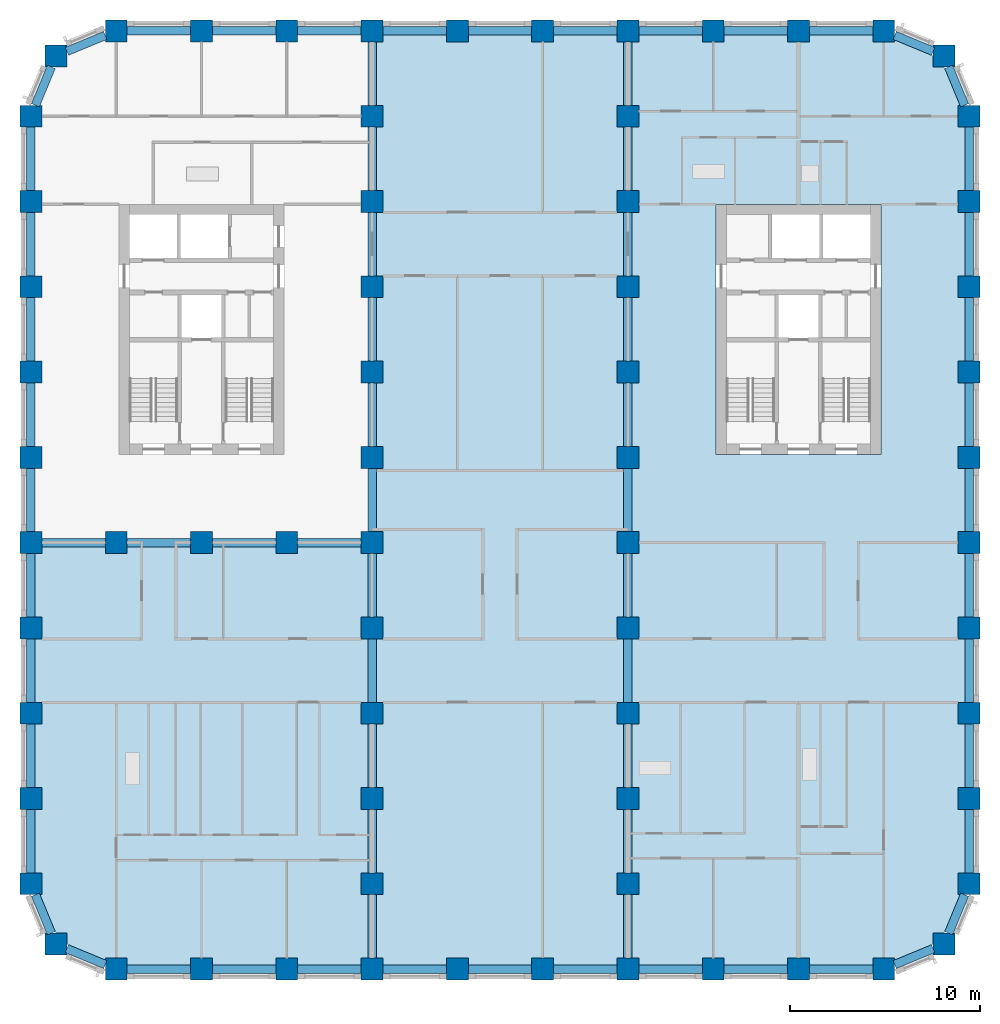
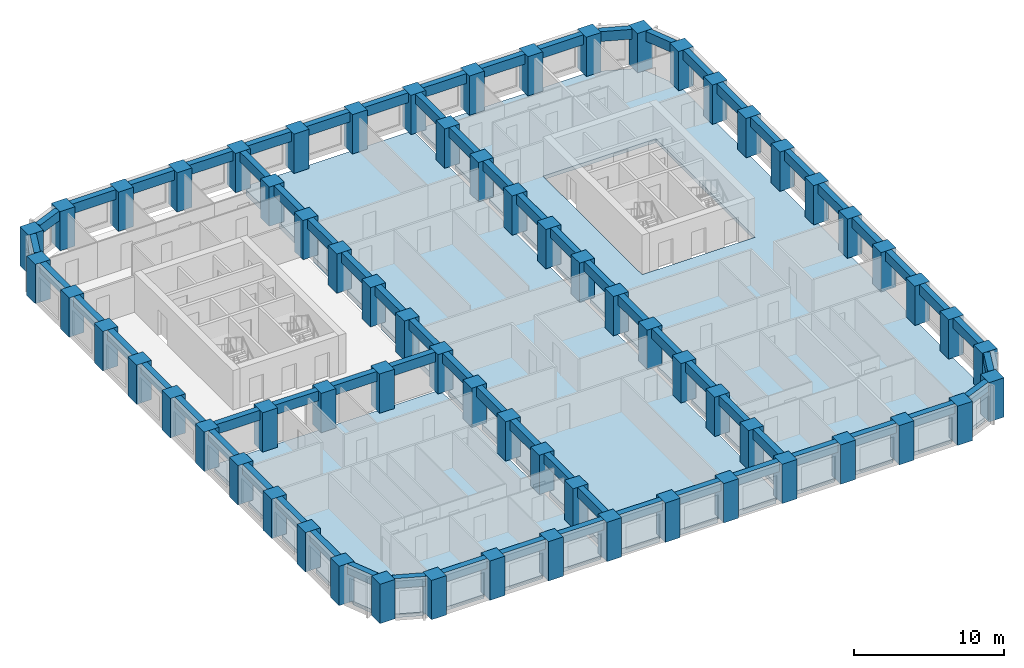
# One storey, part 1 of 13: 70 beams, 67 columns, 3 slabs.
"""IFC4 building model written with IfcOpenShell, lengths in metres."""

import ifcopenshell
import ifcopenshell.guid

model = None  # the IFC model being written
_history = None  # IfcOwnerHistory: only IFC2X3 demands one
_inside = {}  # id of a spatial element -> (the spatial element, [elements in it])
_under = {}  # id of a project, library or spatial element -> (it, [spatial elements below it])
_declared = {}  # id of a project -> (the project, [libraries it declares])
_typed = {}  # id of a type object -> (the type object, [elements of that type])
_made_of = {}  # id of a material, layer set ... -> (it, [elements and type objects made of it])


def new_model(schema):
    """Start an empty IFC model of exactly this schema.

    Asked for "IFC4X3", IfcOpenShell would pick the latest addendum, in which some entities
    have other attributes; the version numbers below select the first issue.
    IFC2X3 requires an IfcOwnerHistory on every rooted entity: one is made here for all.
    """
    global model, _history
    if schema == "IFC4X3":
        model = ifcopenshell.file(schema_version=(4, 3, 0, 0))
    else:
        model = ifcopenshell.file(schema=schema)
    _inside.clear()
    _under.clear()
    _declared.clear()
    _typed.clear()
    _made_of.clear()
    _history = None
    if model.schema == "IFC2X3":
        org = make("IfcOrganization", Name="unknown")
        user = make(
            "IfcPersonAndOrganization",
            ThePerson=make("IfcPerson", FamilyName="unknown"),
            TheOrganization=org,
        )
        app = make(
            "IfcApplication",
            ApplicationDeveloper=org,
            Version="unknown",
            ApplicationFullName="unknown",
            ApplicationIdentifier="unknown",
        )
        _history = make(
            "IfcOwnerHistory",
            OwningUser=user,
            OwningApplication=app,
            ChangeAction="ADDED",
            CreationDate=0,
        )
    return model


def make(cls, **values):
    """One entity of the class cls with the attributes given. An attribute that is None is left unset."""
    return model.create_entity(
        cls, **{name: value for name, value in values.items() if value is not None}
    )


def rooted(cls, **values):
    """An entity with a GlobalId (a new one), such as an element, a storey or a relation."""
    return make(cls, GlobalId=ifcopenshell.guid.new(), OwnerHistory=_history, **values)


def si_unit(unit_type, name, prefix=None):
    """IfcSIUnit, for example si_unit("LENGTHUNIT", "METRE", prefix="MILLI")."""
    return make("IfcSIUnit", UnitType=unit_type, Prefix=prefix, Name=name)


def assignment(units):
    """IfcUnitAssignment: the units of a project."""
    return None if units is None else make("IfcUnitAssignment", Units=units)


def point(xyz):
    """IfcCartesianPoint."""
    return None if xyz is None else make("IfcCartesianPoint", Coordinates=xyz)


def direction(xyz):
    """IfcDirection."""
    return None if xyz is None else make("IfcDirection", DirectionRatios=xyz)


def frame(location, z_axis=None, x_axis=None):
    """IfcAxis2Placement3D, a coordinate frame: its origin and axes. An axis left out is left unset."""
    return make(
        "IfcAxis2Placement3D",
        Location=point(location),
        Axis=direction(z_axis),
        RefDirection=direction(x_axis),
    )


def frame_2d(location, x_axis=None):
    """IfcAxis2Placement2D, a coordinate frame in the plane: its origin and x axis."""
    return make(
        "IfcAxis2Placement2D", Location=point(location), RefDirection=direction(x_axis)
    )


def origin():
    """The frame at (0, 0, 0) with its axes left unset."""
    return frame((0.0, 0.0, 0.0))


def origin_2d():
    """The frame at (0, 0) in the plane with its x axis left unset."""
    return frame_2d((0.0, 0.0))


def place(relative_to, where):
    """IfcLocalPlacement: puts the frame where relative to a parent placement (None: the world)."""
    return make(
        "IfcLocalPlacement", PlacementRelTo=relative_to, RelativePlacement=where
    )


def context(
    kind, dimensions, precision=None, world=None, true_north=None, identifier=None
):
    """IfcGeometricRepresentationContext, for example the 3D "Model" context."""
    return make(
        "IfcGeometricRepresentationContext",
        ContextIdentifier=identifier,
        ContextType=kind,
        CoordinateSpaceDimension=dimensions,
        Precision=precision,
        WorldCoordinateSystem=world,
        TrueNorth=true_north,
    )


def subcontext(parent, identifier, kind, view, scale=None):
    """IfcGeometricRepresentationSubContext, for example "Body" below "Model"."""
    return make(
        "IfcGeometricRepresentationSubContext",
        ContextIdentifier=identifier,
        ContextType=kind,
        ParentContext=parent,
        TargetScale=scale,
        TargetView=view,
    )


def project(units=None, contexts=None):
    """IfcProject with its units and contexts."""
    return rooted(
        "IfcProject",
        Name="project",
        RepresentationContexts=contexts,
        UnitsInContext=assignment(units),
    )


def spatial(cls, under=None, at=None, **own):
    """A site, building, storey or space (cls), placed at a placement, below another one or the project."""
    s = rooted(cls, ObjectPlacement=at, **own)
    if under is not None:
        _under.setdefault(under.id(), (under, []))[1].append(s)
    return s


def polyline(points):
    """IfcPolyline through the points."""
    return make("IfcPolyline", Points=[point(p) for p in points])


def profile(cls, at=None, kind="AREA", **sizes):
    """A parametric profile (cls). Its sizes go by their IFC names, for example OverallWidth=200.0."""
    return make(cls, ProfileType=kind, Position=at, **sizes)


def rectangle(**sizes):
    """IfcRectangleProfileDef."""
    return profile("IfcRectangleProfileDef", **sizes)


def outline(outer, holes=None, kind="AREA"):
    """IfcArbitraryClosedProfileDef: a profile drawn as a closed curve; with holes, ...WithVoids."""
    if holes is None:
        return make("IfcArbitraryClosedProfileDef", ProfileType=kind, OuterCurve=outer)
    return make(
        "IfcArbitraryProfileDefWithVoids",
        ProfileType=kind,
        OuterCurve=outer,
        InnerCurves=holes,
    )


def extrude(swept, where, along, depth):
    """IfcExtrudedAreaSolid: the profile swept, set in the frame where, extruded along a direction by depth."""
    return make(
        "IfcExtrudedAreaSolid",
        SweptArea=swept,
        Position=where,
        ExtrudedDirection=direction(along),
        Depth=depth,
    )


def shape(context_of_items, identifier, shape_type, items):
    """IfcShapeRepresentation: the items that make up one representation, for example the "Body"."""
    return make(
        "IfcShapeRepresentation",
        ContextOfItems=context_of_items,
        RepresentationIdentifier=identifier,
        RepresentationType=shape_type,
        Items=items,
    )


def material(Name=None, Category=None):
    """IfcMaterial."""
    return make("IfcMaterial", Name=Name, Category=Category)


def layer(
    of_material, thickness, ventilated=None, Name=None, Category=None, Priority=None
):
    """IfcMaterialLayer: one layer of a wall or slab, of a material (None: an air gap)."""
    return make(
        "IfcMaterialLayer",
        Material=of_material,
        LayerThickness=thickness,
        IsVentilated=ventilated,
        Name=Name,
        Category=Category,
        Priority=Priority,
    )


def layer_set(layers, Name=None):
    """IfcMaterialLayerSet."""
    return make("IfcMaterialLayerSet", MaterialLayers=layers, LayerSetName=Name)


def material_profile(
    of_material, cross_section, Name=None, Category=None, Priority=None
):
    """IfcMaterialProfile: a cross section and its material."""
    return make(
        "IfcMaterialProfile",
        Name=Name,
        Material=of_material,
        Profile=cross_section,
        Priority=Priority,
        Category=Category,
    )


def profile_set(profiles, Name=None, composite=None):
    """IfcMaterialProfileSet."""
    return make(
        "IfcMaterialProfileSet",
        Name=Name,
        MaterialProfiles=profiles,
        CompositeProfile=composite,
    )


def made_of(thing, what):
    """Note that an element or type object is made of a material, layer set ...; save() writes the relation."""
    if what is not None:
        _made_of.setdefault(what.id(), (what, []))[1].append(thing)
    return thing


def type_object(cls, material=None, **own):
    """A type object (cls), such as IfcWallType, which elements share."""
    return made_of(rooted(cls, **own), material)


def element(
    cls,
    number,
    at=None,
    inside=None,
    cuts=None,
    type_object=None,
    material=None,
    context=None,
    identifier="Body",
    shape_type=None,
    held_by="IfcProductDefinitionShape",
    body=None,
    shapes=None,
    **own,
):
    """One element of the class cls, such as IfcWall. Its Tag is "e" and its number.

    at: its placement. inside: the storey or other place that contains it. cuts: it is an
    opening in that element (IfcRelVoidsElement). A single representation is given by context,
    identifier, shape_type and body (its items); several are given by shapes. held_by: the class
    of the entity that holds the representations. save() writes the other relations.
    """
    e = rooted(cls, Tag="e%d" % number, ObjectPlacement=at, **own)
    if body is not None:
        shapes = [shape(context, identifier, shape_type, body)]
    if shapes is not None:
        e.Representation = make(held_by, Representations=shapes)
    if inside is not None:
        _inside.setdefault(inside.id(), (inside, []))[1].append(e)
    if cuts is not None:
        rooted(
            "IfcRelVoidsElement", RelatingBuildingElement=cuts, RelatedOpeningElement=e
        )
    if type_object is not None:
        _typed.setdefault(type_object.id(), (type_object, []))[1].append(e)
    return made_of(e, material)


def aggregate(whole, parts):
    """IfcRelAggregates: a whole, such as a stair, and the parts it consists of."""
    return rooted("IfcRelAggregates", RelatingObject=whole, RelatedObjects=parts)


def save(model, path):
    """Write the relations noted so far, then the file.

    IfcRelAggregates (storeys below a building ...), IfcRelContainedInSpatialStructure (elements
    in a storey), IfcRelDefinesByType, IfcRelAssociatesMaterial and IfcRelDeclares: one each for
    every whole, place, type object, material and project.
    """
    for whole, parts in _under.values():
        aggregate(whole, parts)
    for where, things in _inside.values():
        rooted(
            "IfcRelContainedInSpatialStructure",
            RelatedElements=things,
            RelatingStructure=where,
        )
    for kind, things in _typed.values():
        rooted("IfcRelDefinesByType", RelatedObjects=things, RelatingType=kind)
    for what, things in _made_of.values():
        rooted("IfcRelAssociatesMaterial", RelatedObjects=things, RelatingMaterial=what)
    for by, libraries in _declared.values():
        rooted("IfcRelDeclares", RelatingContext=by, RelatedDefinitions=libraries)
    model.write(path)


model = new_model("IFC4")

# Units and contexts
model_context = context("Model", 3, precision=1e-05, world=origin(), true_north=direction((0.0, 1.0)))
body_context = subcontext(model_context, "Body", "Model", "MODEL_VIEW")
ifc_project = project(units=[si_unit("LENGTHUNIT", "METRE"), si_unit("AREAUNIT", "SQUARE_METRE"), si_unit("VOLUMEUNIT", "CUBIC_METRE"), si_unit("PLANEANGLEUNIT", "RADIAN"), si_unit("MASSUNIT", "GRAM", prefix="KILO")], contexts=[model_context])

# Site, building, storey
site_placement = place(None, origin())
site = spatial("IfcSite", under=ifc_project, at=site_placement, CompositionType="ELEMENT")
building_placement = place(site_placement, origin())
building = spatial("IfcBuilding", under=site, at=building_placement, Name="Girih Gate Residences", CompositionType="ELEMENT")
storey_placement = place(building_placement, frame((0.0, 0.0, 105.60009765625)))
storey = spatial("IfcBuildingStorey", under=building, at=storey_placement, Name="L29", CompositionType="ELEMENT", Elevation=105.60009765625)

# Columns
ifc_material_1 = material(Name="Concrete C80/95", Category="concrete")
ifc_material_profile_1 = material_profile(ifc_material_1, rectangle(XDim=1.14990234375, YDim=1.14990234375, at=origin_2d()))
ifc_profile_set_1 = profile_set([ifc_material_profile_1], Name="Concrete C80/95")
column_type = type_object("IfcColumnType", Name="Pier RC 1150x1150 Concrete C80/95", PredefinedType="COLUMN", material=ifc_profile_set_1)
for number, where, z_axis, x_axis, name in (
    (1, (4.5, 0.0, 0.0), (0.0, 0.0, 1.0), (1.0, 0.0, 0.0), "Pier P2A L29"),
    (2, (9.0, 0.0, 0.0), (0.0, 0.0, 1.0), (1.0, 0.0, 0.0), "Pier P3A L29"),
    (3, (13.5, 0.0, 0.0), (0.0, 0.0, 1.0), (1.0, 0.0, 0.0), "Pier P4A L29"),
    (4, (18.0, 0.0, 0.0), (0.0, 0.0, 1.0), (1.0, 0.0, 0.0), "Pier P5A L29"),
    (5, (22.5, 0.0, 0.0), (0.0, 0.0, 1.0), (1.0, 0.0, 0.0), "Pier P6A L29"),
    (6, (27.0, 0.0, 0.0), (0.0, 0.0, 1.0), (1.0, 0.0, 0.0), "Pier P7A L29"),
    (7, (31.5, 0.0, 0.0), (0.0, 0.0, 1.0), (1.0, 0.0, 0.0), "Pier P8A L29"),
    (8, (36.0, 0.0, 0.0), (0.0, 0.0, 1.0), (1.0, 0.0, 0.0), "Pier P9A L29"),
    (9, (40.5, 0.0, 0.0), (0.0, 0.0, 1.0), (1.0, 0.0, 0.0), "Pier P10A L29"),
    (10, (45.0, 0.0, 0.0), (0.0, 0.0, 1.0), (1.0, 0.0, 0.0), "Pier P11A L29"),
    (11, (1.318115234375, 1.318115234375, 0.0), (0.0, 0.0, 1.0), (1.0, 0.0, 0.0), "Pier P1ANE L29"),
    (12, (48.181884765625, 1.318115234375, 0.0), (0.0, 0.0, 1.0), (1.0, 0.0, 0.0), "Pier P12ANW L29"),
    (13, (0.0, 4.5, 0.0), (0.0, 0.0, 1.0), (1.0, 0.0, 0.0), "Pier P1B L29"),
    (14, (18.0, 4.5, 0.0), (0.0, 0.0, 1.0), (1.0, 0.0, 0.0), "Pier P5B L29"),
    (15, (31.5, 4.5, 0.0), (0.0, 0.0, 1.0), (1.0, 0.0, 0.0), "Pier P8B L29"),
    (16, (49.5, 4.5, 0.0), (0.0, 0.0, 1.0), (1.0, 0.0, 0.0), "Pier P12B L29"),
    (17, (0.0, 9.0, 0.0), (0.0, 0.0, 1.0), (1.0, 0.0, 0.0), "Pier P1C L29"),
    (18, (18.0, 9.0, 0.0), (0.0, 0.0, 1.0), (1.0, 0.0, 0.0), "Pier P5C L29"),
    (19, (31.5, 9.0, 0.0), (0.0, 0.0, 1.0), (1.0, 0.0, 0.0), "Pier P8C L29"),
    (20, (49.5, 9.0, 0.0), (0.0, 0.0, 1.0), (1.0, 0.0, 0.0), "Pier P12C L29"),
    (21, (0.0, 13.5, 0.0), (0.0, 0.0, 1.0), (1.0, 0.0, 0.0), "Pier P1D L29"),
    (22, (18.0, 13.5, 0.0), (0.0, 0.0, 1.0), (1.0, 0.0, 0.0), "Pier P5D L29"),
    (23, (31.5, 13.5, 0.0), (0.0, 0.0, 1.0), (1.0, 0.0, 0.0), "Pier P8D L29"),
    (24, (49.5, 13.5, 0.0), (0.0, 0.0, 1.0), (1.0, 0.0, 0.0), "Pier P12D L29"),
    (25, (0.0, 18.0, 0.0), (0.0, 0.0, 1.0), (1.0, 0.0, 0.0), "Pier P1E L29"),
    (26, (18.0, 18.0, 0.0), (0.0, 0.0, 1.0), (1.0, 0.0, 0.0), "Pier P5E L29"),
    (27, (31.5, 18.0, 0.0), (0.0, 0.0, 1.0), (1.0, 0.0, 0.0), "Pier P8E L29"),
    (28, (49.5, 18.0, 0.0), (0.0, 0.0, 1.0), (1.0, 0.0, 0.0), "Pier P12E L29"),
    (29, (0.0, 22.5, 0.0), (0.0, 0.0, 1.0), (1.0, 0.0, 0.0), "Pier P1F L29"),
    (30, (4.5, 22.5, 0.0), (0.0, 0.0, 1.0), (1.0, 0.0, 0.0), "Pier P2F L29"),
    (31, (9.0, 22.5, 0.0), (0.0, 0.0, 1.0), (1.0, 0.0, 0.0), "Pier P3F L29"),
    (32, (13.5, 22.5, 0.0), (0.0, 0.0, 1.0), (1.0, 0.0, 0.0), "Pier P4F L29"),
    (33, (18.0, 22.5, 0.0), (0.0, 0.0, 1.0), (1.0, 0.0, 0.0), "Pier P5F L29"),
    (34, (31.5, 22.5, 0.0), (0.0, 0.0, 1.0), (1.0, 0.0, 0.0), "Pier P8F L29"),
    (35, (49.5, 22.5, 0.0), (0.0, 0.0, 1.0), (1.0, 0.0, 0.0), "Pier P12F L29"),
    (36, (0.0, 27.0, 0.0), (0.0, 0.0, 1.0), (1.0, 0.0, 0.0), "Pier P1G L29"),
    (37, (18.0, 27.0, 0.0), (0.0, 0.0, 1.0), (1.0, 0.0, 0.0), "Pier P5G L29"),
    (38, (31.5, 27.0, 0.0), (0.0, 0.0, 1.0), (1.0, 0.0, 0.0), "Pier P8G L29"),
    (39, (49.5, 27.0, 0.0), (0.0, 0.0, 1.0), (1.0, 0.0, 0.0), "Pier P12G L29"),
    (40, (0.0, 31.5, 0.0), (0.0, 0.0, 1.0), (1.0, 0.0, 0.0), "Pier P1H L29"),
    (41, (18.0, 31.5, 0.0), (0.0, 0.0, 1.0), (1.0, 0.0, 0.0), "Pier P5H L29"),
    (42, (31.5, 31.5, 0.0), (0.0, 0.0, 1.0), (1.0, 0.0, 0.0), "Pier P8H L29"),
    (43, (49.5, 31.5, 0.0), (0.0, 0.0, 1.0), (1.0, 0.0, 0.0), "Pier P12H L29"),
    (44, (0.0, 36.0, 0.0), (0.0, 0.0, 1.0), (1.0, 0.0, 0.0), "Pier P1I L29"),
    (45, (18.0, 36.0, 0.0), (0.0, 0.0, 1.0), (1.0, 0.0, 0.0), "Pier P5I L29"),
    (46, (31.5, 36.0, 0.0), (0.0, 0.0, 1.0), (1.0, 0.0, 0.0), "Pier P8I L29"),
    (47, (49.5, 36.0, 0.0), (0.0, 0.0, 1.0), (1.0, 0.0, 0.0), "Pier P12I L29"),
    (48, (0.0, 40.5, 0.0), (0.0, 0.0, 1.0), (1.0, 0.0, 0.0), "Pier P1J L29"),
    (49, (18.0, 40.5, 0.0), (0.0, 0.0, 1.0), (1.0, 0.0, 0.0), "Pier P5J L29"),
    (50, (31.5, 40.5, 0.0), (0.0, 0.0, 1.0), (1.0, 0.0, 0.0), "Pier P8J L29"),
    (51, (49.5, 40.5, 0.0), (0.0, 0.0, 1.0), (1.0, 0.0, 0.0), "Pier P12J L29"),
    (52, (0.0, 45.0, 0.0), (0.0, 0.0, 1.0), (1.0, 0.0, 0.0), "Pier P1K L29"),
    (53, (18.0, 45.0, 0.0), (0.0, 0.0, 1.0), (1.0, 0.0, 0.0), "Pier P5K L29"),
    (54, (31.5, 45.0, 0.0), (0.0, 0.0, 1.0), (1.0, 0.0, 0.0), "Pier P8K L29"),
    (55, (49.5, 45.0, 0.0), (0.0, 0.0, 1.0), (1.0, 0.0, 0.0), "Pier P12K L29"),
    (56, (1.318115234375, 48.181884765625, 0.0), (0.0, 0.0, 1.0), (1.0, 0.0, 0.0), "Pier P1LSE L29"),
    (57, (48.181884765625, 48.181884765625, 0.0), (0.0, 0.0, 1.0), (1.0, 0.0, 0.0), "Pier P12LSW L29"),
    (58, (4.5, 49.5, 0.0), (0.0, 0.0, 1.0), (1.0, 0.0, 0.0), "Pier P2L L29"),
    (59, (9.0, 49.5, 0.0), (0.0, 0.0, 1.0), (1.0, 0.0, 0.0), "Pier P3L L29"),
    (60, (13.5, 49.5, 0.0), (0.0, 0.0, 1.0), (1.0, 0.0, 0.0), "Pier P4L L29"),
    (61, (18.0, 49.5, 0.0), (0.0, 0.0, 1.0), (1.0, 0.0, 0.0), "Pier P5L L29"),
    (62, (22.5, 49.5, 0.0), (0.0, 0.0, 1.0), (1.0, 0.0, 0.0), "Pier P6L L29"),
    (63, (27.0, 49.5, 0.0), (0.0, 0.0, 1.0), (1.0, 0.0, 0.0), "Pier P7L L29"),
    (64, (31.5, 49.5, 0.0), (0.0, 0.0, 1.0), (1.0, 0.0, 0.0), "Pier P8L L29"),
    (65, (36.0, 49.5, 0.0), (0.0, 0.0, 1.0), (1.0, 0.0, 0.0), "Pier P9L L29"),
    (66, (40.5, 49.5, 0.0), (0.0, 0.0, 1.0), (1.0, 0.0, 0.0), "Pier P10L L29"),
    (67, (45.0, 49.5, 0.0), (0.0, 0.0, 1.0), (1.0, 0.0, 0.0), "Pier P11L L29"),
):
    element("IfcColumn", number, at=place(storey_placement, frame(where, z_axis=z_axis, x_axis=x_axis)), inside=storey, type_object=column_type, Name=name, PredefinedType="COLUMN", context=body_context, shape_type="SweptSolid", body=[
        extrude(rectangle(XDim=1.14990234375, YDim=1.14990234375, at=origin_2d()), origin(), (0.0, 0.0, 1.0), 3.199951171875),
    ])

# Beams
ifc_material_2 = material(Name="Concrete C60/75", Category="concrete")
ifc_material_profile_2 = material_profile(ifc_material_2, rectangle(XDim=0.449951171875, YDim=0.800048828125, at=origin_2d()))
ifc_profile_set_2 = profile_set([ifc_material_profile_2], Name="Concrete C60/75")
beam_type = type_object("IfcBeamType", Name="Spandrel girder RC 450x800 Concrete C60/75", PredefinedType="BEAM", material=ifc_profile_set_2)
for number, where, z_axis, x_axis, name in (
    (68, (0.23828125, 3.925048828125, 2.7998046875), (0.382636106589, -0.92389913407, 0.0), (0.92389913407, 0.382636106589, 0.0), "Spandrel girder SP-P1B-P1ANE L29"),
    (69, (1.89306640625, 1.079833984375, 2.7998046875), (0.92389913407, -0.382636106589, 0.0), (0.382636106589, 0.92389913407, 0.0), "Spandrel girder SP-P1ANE-P2A L29"),
):
    element("IfcBeam", number, at=place(storey_placement, frame(where, z_axis=z_axis, x_axis=x_axis)), inside=storey, type_object=beam_type, Name=name, PredefinedType="BEAM", context=body_context, shape_type="SweptSolid", body=[
        extrude(rectangle(XDim=0.449951171875, YDim=0.800048828125, at=origin_2d()), origin(), (0.0, 0.0, 1.0), 2.199462890625),
    ])
for number, where, z_axis, x_axis, name in (
    (70, (5.074951171875, 0.0, 2.7998046875), (1.0, 0.0, 0.0), (0.0, 1.0, 0.0), "Spandrel girder SP-P2A-P3A L29"),
    (71, (9.574951171875, 0.0, 2.7998046875), (1.0, 0.0, 0.0), (0.0, 1.0, 0.0), "Spandrel girder SP-P3A-P4A L29"),
    (72, (14.074951171875, 0.0, 2.7998046875), (1.0, 0.0, 0.0), (0.0, 1.0, 0.0), "Spandrel girder SP-P4A-P5A L29"),
    (73, (18.574951171875, 0.0, 2.7998046875), (1.0, 0.0, 0.0), (0.0, 1.0, 0.0), "Spandrel girder SP-P5A-P6A L29"),
    (74, (23.074951171875, 0.0, 2.7998046875), (1.0, 0.0, 0.0), (0.0, 1.0, 0.0), "Spandrel girder SP-P6A-P7A L29"),
    (75, (27.574951171875, 0.0, 2.7998046875), (1.0, 0.0, 0.0), (0.0, 1.0, 0.0), "Spandrel girder SP-P7A-P8A L29"),
    (76, (32.074951171875, 0.0, 2.7998046875), (1.0, 0.0, 0.0), (0.0, 1.0, 0.0), "Spandrel girder SP-P8A-P9A L29"),
    (77, (36.574951171875, 0.0, 2.7998046875), (1.0, 0.0, 0.0), (0.0, 1.0, 0.0), "Spandrel girder SP-P9A-P10A L29"),
    (78, (41.074951171875, 0.0, 2.7998046875), (1.0, 0.0, 0.0), (0.0, 1.0, 0.0), "Spandrel girder SP-P10A-P11A L29"),
):
    element("IfcBeam", number, at=place(storey_placement, frame(where, z_axis=z_axis, x_axis=x_axis)), inside=storey, type_object=beam_type, Name=name, PredefinedType="BEAM", context=body_context, shape_type="SweptSolid", body=[
        extrude(rectangle(XDim=0.449951171875, YDim=0.800048828125, at=origin_2d()), origin(), (0.0, 0.0, 1.0), 3.35009765625),
    ])
for number, where, z_axis, x_axis, name in (
    (79, (45.574951171875, 0.23828125, 2.7998046875), (0.92389913407, 0.382636106589, 0.0), (-0.382636106589, 0.92389913407, 0.0), "Spandrel girder SP-P11A-P12ANW L29"),
    (80, (48.420166015625, 1.89306640625, 2.7998046875), (0.382636106589, 0.92389913407, 0.0), (-0.92389913407, 0.382636106589, 0.0), "Spandrel girder SP-P12ANW-P12B L29"),
):
    element("IfcBeam", number, at=place(storey_placement, frame(where, z_axis=z_axis, x_axis=x_axis)), inside=storey, type_object=beam_type, Name=name, PredefinedType="BEAM", context=body_context, shape_type="SweptSolid", body=[
        extrude(rectangle(XDim=0.449951171875, YDim=0.800048828125, at=origin_2d()), origin(), (0.0, 0.0, 1.0), 2.199462890625),
    ])
for number, where, z_axis, x_axis, name in (
    (81, (49.5, 5.074951171875, 2.7998046875), (0.0, 1.0, 0.0), (-1.0, 0.0, 0.0), "Spandrel girder SP-P12B-P12C L29"),
    (82, (49.5, 9.574951171875, 2.7998046875), (0.0, 1.0, 0.0), (-1.0, 0.0, 0.0), "Spandrel girder SP-P12C-P12D L29"),
    (83, (49.5, 14.074951171875, 2.7998046875), (0.0, 1.0, 0.0), (-1.0, 0.0, 0.0), "Spandrel girder SP-P12D-P12E L29"),
    (84, (49.5, 18.574951171875, 2.7998046875), (0.0, 1.0, 0.0), (-1.0, 0.0, 0.0), "Spandrel girder SP-P12E-P12F L29"),
    (85, (49.5, 23.074951171875, 2.7998046875), (0.0, 1.0, 0.0), (-1.0, 0.0, 0.0), "Spandrel girder SP-P12F-P12G L29"),
    (86, (49.5, 27.574951171875, 2.7998046875), (0.0, 1.0, 0.0), (-1.0, 0.0, 0.0), "Spandrel girder SP-P12G-P12H L29"),
    (87, (49.5, 32.074951171875, 2.7998046875), (0.0, 1.0, 0.0), (-1.0, 0.0, 0.0), "Spandrel girder SP-P12H-P12I L29"),
    (88, (49.5, 36.574951171875, 2.7998046875), (0.0, 1.0, 0.0), (-1.0, 0.0, 0.0), "Spandrel girder SP-P12I-P12J L29"),
    (89, (49.5, 41.074951171875, 2.7998046875), (0.0, 1.0, 0.0), (-1.0, 0.0, 0.0), "Spandrel girder SP-P12J-P12K L29"),
):
    element("IfcBeam", number, at=place(storey_placement, frame(where, z_axis=z_axis, x_axis=x_axis)), inside=storey, type_object=beam_type, Name=name, PredefinedType="BEAM", context=body_context, shape_type="SweptSolid", body=[
        extrude(rectangle(XDim=0.449951171875, YDim=0.800048828125, at=origin_2d()), origin(), (0.0, 0.0, 1.0), 3.35009765625),
    ])
for number, where, z_axis, x_axis, name in (
    (90, (49.26171875, 45.574951171875, 2.7998046875), (-0.382636106589, 0.92389913407, 0.0), (-0.92389913407, -0.382636106589, 0.0), "Spandrel girder SP-P12K-P12LSW L29"),
    (91, (47.60693359375, 48.420166015625, 2.7998046875), (-0.92389913407, 0.382636106589, 0.0), (-0.382636106589, -0.92389913407, 0.0), "Spandrel girder SP-P12LSW-P11L L29"),
):
    element("IfcBeam", number, at=place(storey_placement, frame(where, z_axis=z_axis, x_axis=x_axis)), inside=storey, type_object=beam_type, Name=name, PredefinedType="BEAM", context=body_context, shape_type="SweptSolid", body=[
        extrude(rectangle(XDim=0.449951171875, YDim=0.800048828125, at=origin_2d()), origin(), (0.0, 0.0, 1.0), 2.199462890625),
    ])
for number, where, z_axis, x_axis, name in (
    (92, (44.425048828125, 49.5, 2.7998046875), (-1.0, 0.0, 0.0), (0.0, -1.0, 0.0), "Spandrel girder SP-P11L-P10L L29"),
    (93, (39.925048828125, 49.5, 2.7998046875), (-1.0, 0.0, 0.0), (0.0, -1.0, 0.0), "Spandrel girder SP-P10L-P9L L29"),
    (94, (35.425048828125, 49.5, 2.7998046875), (-1.0, 0.0, 0.0), (0.0, -1.0, 0.0), "Spandrel girder SP-P9L-P8L L29"),
    (95, (30.925048828125, 49.5, 2.7998046875), (-1.0, 0.0, 0.0), (0.0, -1.0, 0.0), "Spandrel girder SP-P8L-P7L L29"),
    (96, (26.425048828125, 49.5, 2.7998046875), (-1.0, 0.0, 0.0), (0.0, -1.0, 0.0), "Spandrel girder SP-P7L-P6L L29"),
    (97, (21.925048828125, 49.5, 2.7998046875), (-1.0, 0.0, 0.0), (0.0, -1.0, 0.0), "Spandrel girder SP-P6L-P5L L29"),
    (98, (17.425048828125, 49.5, 2.7998046875), (-1.0, 0.0, 0.0), (0.0, -1.0, 0.0), "Spandrel girder SP-P5L-P4L L29"),
    (99, (12.925048828125, 49.5, 2.7998046875), (-1.0, 0.0, 0.0), (0.0, -1.0, 0.0), "Spandrel girder SP-P4L-P3L L29"),
    (100, (8.425048828125, 49.5, 2.7998046875), (-1.0, 0.0, 0.0), (0.0, -1.0, 0.0), "Spandrel girder SP-P3L-P2L L29"),
):
    element("IfcBeam", number, at=place(storey_placement, frame(where, z_axis=z_axis, x_axis=x_axis)), inside=storey, type_object=beam_type, Name=name, PredefinedType="BEAM", context=body_context, shape_type="SweptSolid", body=[
        extrude(rectangle(XDim=0.449951171875, YDim=0.800048828125, at=origin_2d()), origin(), (0.0, 0.0, 1.0), 3.35009765625),
    ])
for number, where, z_axis, x_axis, name in (
    (101, (3.925048828125, 49.26171875, 2.7998046875), (-0.92389913407, -0.382636106589, 0.0), (0.382636106589, -0.92389913407, 0.0), "Spandrel girder SP-P2L-P1LSE L29"),
    (102, (1.079833984375, 47.60693359375, 2.7998046875), (-0.382636106589, -0.92389913407, 0.0), (0.92389913407, -0.382636106589, 0.0), "Spandrel girder SP-P1LSE-P1K L29"),
):
    element("IfcBeam", number, at=place(storey_placement, frame(where, z_axis=z_axis, x_axis=x_axis)), inside=storey, type_object=beam_type, Name=name, PredefinedType="BEAM", context=body_context, shape_type="SweptSolid", body=[
        extrude(rectangle(XDim=0.449951171875, YDim=0.800048828125, at=origin_2d()), origin(), (0.0, 0.0, 1.0), 2.199462890625),
    ])
for number, where, z_axis, x_axis, name in (
    (103, (0.0, 44.425048828125, 2.7998046875), (0.0, -1.0, 0.0), (1.0, 0.0, 0.0), "Spandrel girder SP-P1K-P1J L29"),
    (104, (0.0, 39.925048828125, 2.7998046875), (0.0, -1.0, 0.0), (1.0, 0.0, 0.0), "Spandrel girder SP-P1J-P1I L29"),
    (105, (0.0, 35.425048828125, 2.7998046875), (0.0, -1.0, 0.0), (1.0, 0.0, 0.0), "Spandrel girder SP-P1I-P1H L29"),
    (106, (0.0, 30.925048828125, 2.7998046875), (0.0, -1.0, 0.0), (1.0, 0.0, 0.0), "Spandrel girder SP-P1H-P1G L29"),
    (107, (0.0, 26.425048828125, 2.7998046875), (0.0, -1.0, 0.0), (1.0, 0.0, 0.0), "Spandrel girder SP-P1G-P1F L29"),
    (108, (0.0, 21.925048828125, 2.7998046875), (0.0, -1.0, 0.0), (1.0, 0.0, 0.0), "Spandrel girder SP-P1F-P1E L29"),
    (109, (0.0, 17.425048828125, 2.7998046875), (0.0, -1.0, 0.0), (1.0, 0.0, 0.0), "Spandrel girder SP-P1E-P1D L29"),
    (110, (0.0, 12.925048828125, 2.7998046875), (0.0, -1.0, 0.0), (1.0, 0.0, 0.0), "Spandrel girder SP-P1D-P1C L29"),
    (111, (0.0, 8.425048828125, 2.7998046875), (0.0, -1.0, 0.0), (1.0, 0.0, 0.0), "Spandrel girder SP-P1C-P1B L29"),
    (112, (18.0, 0.574951171875, 2.7998046875), (0.0, 1.0, 0.0), (-1.0, 0.0, 0.0), "Spandrel girder SP-P5A-P5B L29"),
    (113, (18.0, 5.074951171875, 2.7998046875), (0.0, 1.0, 0.0), (-1.0, 0.0, 0.0), "Spandrel girder SP-P5B-P5C L29"),
    (114, (18.0, 9.574951171875, 2.7998046875), (0.0, 1.0, 0.0), (-1.0, 0.0, 0.0), "Spandrel girder SP-P5C-P5D L29"),
    (115, (18.0, 14.074951171875, 2.7998046875), (0.0, 1.0, 0.0), (-1.0, 0.0, 0.0), "Spandrel girder SP-P5D-P5E L29"),
    (116, (18.0, 18.574951171875, 2.7998046875), (0.0, 1.0, 0.0), (-1.0, 0.0, 0.0), "Spandrel girder SP-P5E-P5F L29"),
    (117, (18.0, 23.074951171875, 2.7998046875), (0.0, 1.0, 0.0), (-1.0, 0.0, 0.0), "Spandrel girder SP-P5F-P5G L29"),
    (118, (18.0, 27.574951171875, 2.7998046875), (0.0, 1.0, 0.0), (-1.0, 0.0, 0.0), "Spandrel girder SP-P5G-P5H L29"),
    (119, (18.0, 32.074951171875, 2.7998046875), (0.0, 1.0, 0.0), (-1.0, 0.0, 0.0), "Spandrel girder SP-P5H-P5I L29"),
    (120, (18.0, 36.574951171875, 2.7998046875), (0.0, 1.0, 0.0), (-1.0, 0.0, 0.0), "Spandrel girder SP-P5I-P5J L29"),
    (121, (18.0, 41.074951171875, 2.7998046875), (0.0, 1.0, 0.0), (-1.0, 0.0, 0.0), "Spandrel girder SP-P5J-P5K L29"),
    (122, (18.0, 45.574951171875, 2.7998046875), (0.0, 1.0, 0.0), (-1.0, 0.0, 0.0), "Spandrel girder SP-P5K-P5L L29"),
    (123, (31.5, 0.574951171875, 2.7998046875), (0.0, 1.0, 0.0), (-1.0, 0.0, 0.0), "Spandrel girder SP-P8A-P8B L29"),
    (124, (31.5, 5.074951171875, 2.7998046875), (0.0, 1.0, 0.0), (-1.0, 0.0, 0.0), "Spandrel girder SP-P8B-P8C L29"),
    (125, (31.5, 9.574951171875, 2.7998046875), (0.0, 1.0, 0.0), (-1.0, 0.0, 0.0), "Spandrel girder SP-P8C-P8D L29"),
    (126, (31.5, 14.074951171875, 2.7998046875), (0.0, 1.0, 0.0), (-1.0, 0.0, 0.0), "Spandrel girder SP-P8D-P8E L29"),
    (127, (31.5, 18.574951171875, 2.7998046875), (0.0, 1.0, 0.0), (-1.0, 0.0, 0.0), "Spandrel girder SP-P8E-P8F L29"),
    (128, (31.5, 23.074951171875, 2.7998046875), (0.0, 1.0, 0.0), (-1.0, 0.0, 0.0), "Spandrel girder SP-P8F-P8G L29"),
    (129, (31.5, 27.574951171875, 2.7998046875), (0.0, 1.0, 0.0), (-1.0, 0.0, 0.0), "Spandrel girder SP-P8G-P8H L29"),
    (130, (31.5, 32.074951171875, 2.7998046875), (0.0, 1.0, 0.0), (-1.0, 0.0, 0.0), "Spandrel girder SP-P8H-P8I L29"),
    (131, (31.5, 36.574951171875, 2.7998046875), (0.0, 1.0, 0.0), (-1.0, 0.0, 0.0), "Spandrel girder SP-P8I-P8J L29"),
    (132, (31.5, 41.074951171875, 2.7998046875), (0.0, 1.0, 0.0), (-1.0, 0.0, 0.0), "Spandrel girder SP-P8J-P8K L29"),
    (133, (31.5, 45.574951171875, 2.7998046875), (0.0, 1.0, 0.0), (-1.0, 0.0, 0.0), "Spandrel girder SP-P8K-P8L L29"),
    (134, (0.574951171875, 22.5, 2.7998046875), (1.0, 0.0, 0.0), (0.0, 1.0, 0.0), "Spandrel girder SP-P1F-P2F L29"),
    (135, (5.074951171875, 22.5, 2.7998046875), (1.0, 0.0, 0.0), (0.0, 1.0, 0.0), "Spandrel girder SP-P2F-P3F L29"),
    (136, (9.574951171875, 22.5, 2.7998046875), (1.0, 0.0, 0.0), (0.0, 1.0, 0.0), "Spandrel girder SP-P3F-P4F L29"),
    (137, (14.074951171875, 22.5, 2.7998046875), (1.0, 0.0, 0.0), (0.0, 1.0, 0.0), "Spandrel girder SP-P4F-P5F L29"),
):
    element("IfcBeam", number, at=place(storey_placement, frame(where, z_axis=z_axis, x_axis=x_axis)), inside=storey, type_object=beam_type, Name=name, PredefinedType="BEAM", context=body_context, shape_type="SweptSolid", body=[
        extrude(rectangle(XDim=0.449951171875, YDim=0.800048828125, at=origin_2d()), origin(), (0.0, 0.0, 1.0), 3.35009765625),
    ])

# Slabs
ifc_material_3 = material(Name="Concrete C40/50", Category="concrete")
ifc_layer_1 = layer(ifc_material_3, 0.300048828125)
ifc_layer_set_1 = layer_set([ifc_layer_1], Name="Floor slab PT 300 Concrete C40/50")
slab_type_1 = type_object("IfcSlabType", Name="Floor slab PT 300 Concrete C40/50", PredefinedType="FLOOR", material=ifc_layer_set_1)
slab_1_placement = place(storey_placement, frame((0.0, 0.0, -0.300048828125)))
element("IfcSlab", 138, at=slab_1_placement, inside=storey, type_object=slab_type_1, Name="Floor slab L29 0", PredefinedType="FLOOR", context=body_context, shape_type="SweptSolid", body=[
    extrude(outline(polyline([(0.22509765625, 8.425048828125), (0.22509765625, 5.074951171875), (0.574951171875, 5.074951171875), (0.574951171875, 3.925048828125), (0.481689453125, 3.925048828125), (1.323486328125, 1.89306640625), (1.89306640625, 1.89306640625), (1.89306640625, 1.323486328125), (3.925048828125, 0.481689453125), (3.925048828125, 0.574951171875), (5.074951171875, 0.574951171875), (5.074951171875, 0.22509765625), (8.425048828125, 0.22509765625), (8.425048828125, 0.574951171875), (9.574951171875, 0.574951171875), (9.574951171875, 0.22509765625), (12.925048828125, 0.22509765625), (12.925048828125, 0.574951171875), (14.074951171875, 0.574951171875), (14.074951171875, 0.22509765625), (17.425048828125, 0.22509765625), (17.425048828125, 0.574951171875), (17.77490234375, 0.574951171875), (17.77490234375, 3.925048828125), (17.425048828125, 3.925048828125), (17.425048828125, 5.074951171875), (17.77490234375, 5.074951171875), (17.77490234375, 8.425048828125), (17.425048828125, 8.425048828125), (17.425048828125, 9.574951171875), (17.77490234375, 9.574951171875), (17.77490234375, 12.925048828125), (17.425048828125, 12.925048828125), (17.425048828125, 14.074951171875), (17.77490234375, 14.074951171875), (17.77490234375, 17.425048828125), (17.425048828125, 17.425048828125), (17.425048828125, 18.574951171875), (17.77490234375, 18.574951171875), (17.77490234375, 21.925048828125), (17.425048828125, 21.925048828125), (17.425048828125, 22.27490234375), (14.074951171875, 22.27490234375), (14.074951171875, 21.925048828125), (12.925048828125, 21.925048828125), (12.925048828125, 22.27490234375), (9.574951171875, 22.27490234375), (9.574951171875, 21.925048828125), (8.425048828125, 21.925048828125), (8.425048828125, 22.27490234375), (5.074951171875, 22.27490234375), (5.074951171875, 21.925048828125), (3.925048828125, 21.925048828125), (3.925048828125, 22.27490234375), (0.574951171875, 22.27490234375), (0.574951171875, 21.925048828125), (0.22509765625, 21.925048828125), (0.22509765625, 18.574951171875), (0.574951171875, 18.574951171875), (0.574951171875, 17.425048828125), (0.22509765625, 17.425048828125), (0.22509765625, 14.074951171875), (0.574951171875, 14.074951171875), (0.574951171875, 12.925048828125), (0.22509765625, 12.925048828125), (0.22509765625, 9.574951171875), (0.574951171875, 9.574951171875), (0.574951171875, 8.425048828125), (0.22509765625, 8.425048828125)])), origin(), (0.0, 0.0, 1.0), 0.300048828125),
])
slab_2_placement = place(storey_placement, frame((0.0, 0.0, -0.300048828125)))
element("IfcSlab", 139, at=slab_2_placement, inside=storey, type_object=slab_type_1, Name="Floor slab L29 1", PredefinedType="FLOOR", context=body_context, shape_type="SweptSolid", body=[
    extrude(outline(polyline([(35.425048828125, 49.27490234375), (32.074951171875, 49.27490234375), (32.074951171875, 48.925048828125), (31.72509765625, 48.925048828125), (31.72509765625, 45.574951171875), (32.074951171875, 45.574951171875), (32.074951171875, 44.425048828125), (31.72509765625, 44.425048828125), (31.72509765625, 41.074951171875), (32.074951171875, 41.074951171875), (32.074951171875, 39.925048828125), (31.72509765625, 39.925048828125), (31.72509765625, 36.574951171875), (32.074951171875, 36.574951171875), (32.074951171875, 35.425048828125), (31.72509765625, 35.425048828125), (31.72509765625, 32.074951171875), (32.074951171875, 32.074951171875), (32.074951171875, 30.925048828125), (31.72509765625, 30.925048828125), (31.72509765625, 27.574951171875), (32.074951171875, 27.574951171875), (32.074951171875, 26.425048828125), (31.72509765625, 26.425048828125), (31.72509765625, 23.074951171875), (32.074951171875, 23.074951171875), (32.074951171875, 21.925048828125), (31.72509765625, 21.925048828125), (31.72509765625, 18.574951171875), (32.074951171875, 18.574951171875), (32.074951171875, 17.425048828125), (31.72509765625, 17.425048828125), (31.72509765625, 14.074951171875), (32.074951171875, 14.074951171875), (32.074951171875, 12.925048828125), (31.72509765625, 12.925048828125), (31.72509765625, 9.574951171875), (32.074951171875, 9.574951171875), (32.074951171875, 8.425048828125), (31.72509765625, 8.425048828125), (31.72509765625, 5.074951171875), (32.074951171875, 5.074951171875), (32.074951171875, 3.925048828125), (31.72509765625, 3.925048828125), (31.72509765625, 0.574951171875), (32.074951171875, 0.574951171875), (32.074951171875, 0.22509765625), (35.425048828125, 0.22509765625), (35.425048828125, 0.574951171875), (36.574951171875, 0.574951171875), (36.574951171875, 0.22509765625), (39.925048828125, 0.22509765625), (39.925048828125, 0.574951171875), (41.074951171875, 0.574951171875), (41.074951171875, 0.22509765625), (44.425048828125, 0.22509765625), (44.425048828125, 0.574951171875), (45.574951171875, 0.574951171875), (45.574951171875, 0.481689453125), (47.60693359375, 1.323486328125), (47.60693359375, 1.89306640625), (48.176513671875, 1.89306640625), (49.018310546875, 3.925048828125), (48.925048828125, 3.925048828125), (48.925048828125, 5.074951171875), (49.27490234375, 5.074951171875), (49.27490234375, 8.425048828125), (48.925048828125, 8.425048828125), (48.925048828125, 9.574951171875), (49.27490234375, 9.574951171875), (49.27490234375, 12.925048828125), (48.925048828125, 12.925048828125), (48.925048828125, 14.074951171875), (49.27490234375, 14.074951171875), (49.27490234375, 17.425048828125), (48.925048828125, 17.425048828125), (48.925048828125, 18.574951171875), (49.27490234375, 18.574951171875), (49.27490234375, 21.925048828125), (48.925048828125, 21.925048828125), (48.925048828125, 23.074951171875), (49.27490234375, 23.074951171875), (49.27490234375, 26.425048828125), (48.925048828125, 26.425048828125), (48.925048828125, 27.574951171875), (49.27490234375, 27.574951171875), (49.27490234375, 30.925048828125), (48.925048828125, 30.925048828125), (48.925048828125, 32.074951171875), (49.27490234375, 32.074951171875), (49.27490234375, 35.425048828125), (48.925048828125, 35.425048828125), (48.925048828125, 36.574951171875), (49.27490234375, 36.574951171875), (49.27490234375, 39.925048828125), (48.925048828125, 39.925048828125), (48.925048828125, 41.074951171875), (49.27490234375, 41.074951171875), (49.27490234375, 44.425048828125), (48.925048828125, 44.425048828125), (48.925048828125, 45.574951171875), (49.018310546875, 45.574951171875), (48.176513671875, 47.60693359375), (47.60693359375, 47.60693359375), (47.60693359375, 48.176513671875), (45.574951171875, 49.018310546875), (45.574951171875, 48.925048828125), (44.425048828125, 48.925048828125), (44.425048828125, 49.27490234375), (41.074951171875, 49.27490234375), (41.074951171875, 48.925048828125), (39.925048828125, 48.925048828125), (39.925048828125, 49.27490234375), (36.574951171875, 49.27490234375), (36.574951171875, 48.925048828125), (35.425048828125, 48.925048828125), (35.425048828125, 49.27490234375)]), holes=[polyline([(44.85009765625, 40.35009765625), (44.85009765625, 27.14990234375), (36.14990234375, 27.14990234375), (36.14990234375, 40.35009765625), (44.85009765625, 40.35009765625)])]), origin(), (0.0, 0.0, 1.0), 0.300048828125),
])
ifc_layer_2 = layer(ifc_material_3, 0.449951171875)
ifc_layer_set_2 = layer_set([ifc_layer_2], Name="Floor slab PT 450 Concrete C40/50")
slab_type_2 = type_object("IfcSlabType", Name="Floor slab PT 450 Concrete C40/50", PredefinedType="FLOOR", material=ifc_layer_set_2)
slab_3_placement = place(storey_placement, frame((0.0, 0.0, -0.4501953125)))
element("IfcSlab", 140, at=slab_3_placement, inside=storey, type_object=slab_type_2, Name="Floor slab L29 2", PredefinedType="FLOOR", context=body_context, shape_type="SweptSolid", body=[
    extrude(outline(polyline([(21.925048828125, 49.27490234375), (18.574951171875, 49.27490234375), (18.574951171875, 48.925048828125), (18.22509765625, 48.925048828125), (18.22509765625, 45.574951171875), (18.574951171875, 45.574951171875), (18.574951171875, 44.425048828125), (18.22509765625, 44.425048828125), (18.22509765625, 41.074951171875), (18.574951171875, 41.074951171875), (18.574951171875, 39.925048828125), (18.22509765625, 39.925048828125), (18.22509765625, 36.574951171875), (18.574951171875, 36.574951171875), (18.574951171875, 35.425048828125), (18.22509765625, 35.425048828125), (18.22509765625, 32.074951171875), (18.574951171875, 32.074951171875), (18.574951171875, 30.925048828125), (18.22509765625, 30.925048828125), (18.22509765625, 27.574951171875), (18.574951171875, 27.574951171875), (18.574951171875, 26.425048828125), (18.22509765625, 26.425048828125), (18.22509765625, 23.074951171875), (18.574951171875, 23.074951171875), (18.574951171875, 21.925048828125), (18.22509765625, 21.925048828125), (18.22509765625, 18.574951171875), (18.574951171875, 18.574951171875), (18.574951171875, 17.425048828125), (18.22509765625, 17.425048828125), (18.22509765625, 14.074951171875), (18.574951171875, 14.074951171875), (18.574951171875, 12.925048828125), (18.22509765625, 12.925048828125), (18.22509765625, 9.574951171875), (18.574951171875, 9.574951171875), (18.574951171875, 8.425048828125), (18.22509765625, 8.425048828125), (18.22509765625, 5.074951171875), (18.574951171875, 5.074951171875), (18.574951171875, 3.925048828125), (18.22509765625, 3.925048828125), (18.22509765625, 0.574951171875), (18.574951171875, 0.574951171875), (18.574951171875, 0.22509765625), (21.925048828125, 0.22509765625), (21.925048828125, 0.574951171875), (23.074951171875, 0.574951171875), (23.074951171875, 0.22509765625), (26.425048828125, 0.22509765625), (26.425048828125, 0.574951171875), (27.574951171875, 0.574951171875), (27.574951171875, 0.22509765625), (30.925048828125, 0.22509765625), (30.925048828125, 0.574951171875), (31.27490234375, 0.574951171875), (31.27490234375, 3.925048828125), (30.925048828125, 3.925048828125), (30.925048828125, 5.074951171875), (31.27490234375, 5.074951171875), (31.27490234375, 8.425048828125), (30.925048828125, 8.425048828125), (30.925048828125, 9.574951171875), (31.27490234375, 9.574951171875), (31.27490234375, 12.925048828125), (30.925048828125, 12.925048828125), (30.925048828125, 14.074951171875), (31.27490234375, 14.074951171875), (31.27490234375, 17.425048828125), (30.925048828125, 17.425048828125), (30.925048828125, 18.574951171875), (31.27490234375, 18.574951171875), (31.27490234375, 21.925048828125), (30.925048828125, 21.925048828125), (30.925048828125, 23.074951171875), (31.27490234375, 23.074951171875), (31.27490234375, 26.425048828125), (30.925048828125, 26.425048828125), (30.925048828125, 27.574951171875), (31.27490234375, 27.574951171875), (31.27490234375, 30.925048828125), (30.925048828125, 30.925048828125), (30.925048828125, 32.074951171875), (31.27490234375, 32.074951171875), (31.27490234375, 35.425048828125), (30.925048828125, 35.425048828125), (30.925048828125, 36.574951171875), (31.27490234375, 36.574951171875), (31.27490234375, 39.925048828125), (30.925048828125, 39.925048828125), (30.925048828125, 41.074951171875), (31.27490234375, 41.074951171875), (31.27490234375, 44.425048828125), (30.925048828125, 44.425048828125), (30.925048828125, 45.574951171875), (31.27490234375, 45.574951171875), (31.27490234375, 48.925048828125), (30.925048828125, 48.925048828125), (30.925048828125, 49.27490234375), (27.574951171875, 49.27490234375), (27.574951171875, 48.925048828125), (26.425048828125, 48.925048828125), (26.425048828125, 49.27490234375), (23.074951171875, 49.27490234375), (23.074951171875, 48.925048828125), (21.925048828125, 48.925048828125), (21.925048828125, 49.27490234375)])), origin(), (0.0, 0.0, 1.0), 0.4501953125),
])

save(model, "model.ifc")
